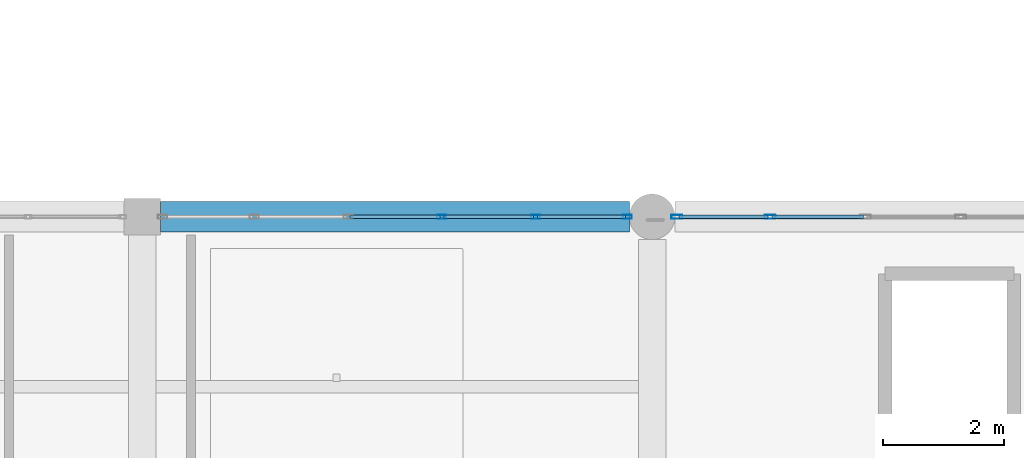
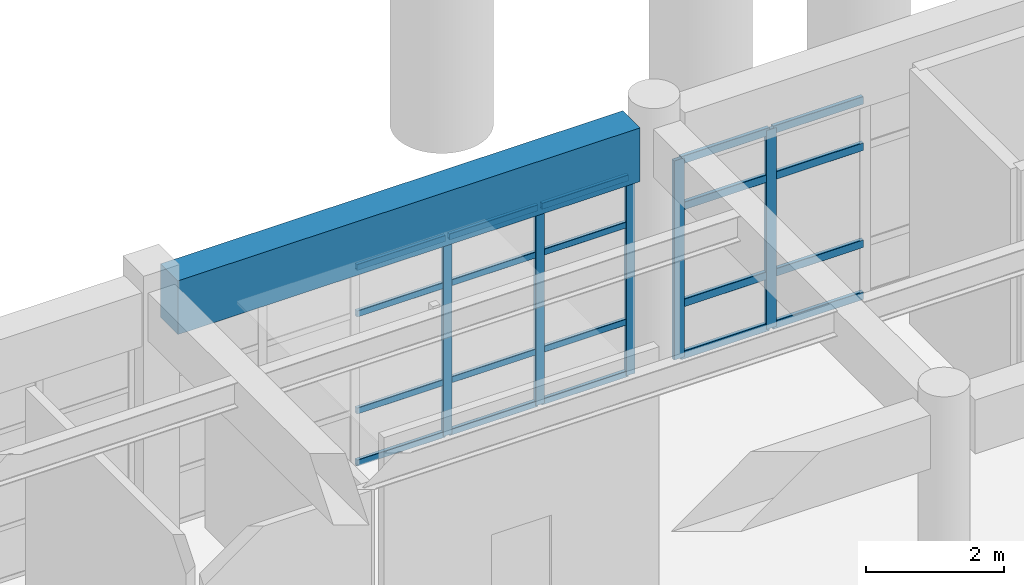
# One storey, part 25 of 139: 25 members, 1 beam, 2 elements without a shape of their own.
"""IFC4 building model written with IfcOpenShell, lengths in metres."""

from ifc_helpers import new_model, si_unit, direction, frame, origin, origin_2d, place, context, subcontext, project, spatial, rectangle, hollow_rectangle, extrude, material, material_profile, profile_set, type_object, element, aggregate, save


model = new_model("IFC4")

# Units and contexts
model_context = context("Model", 3, precision=1e-05, world=origin(), true_north=direction((0.0, 1.0)))
body_context = subcontext(model_context, "Body", "Model", "MODEL_VIEW")
ifc_project = project(units=[si_unit("LENGTHUNIT", "METRE"), si_unit("AREAUNIT", "SQUARE_METRE"), si_unit("VOLUMEUNIT", "CUBIC_METRE"), si_unit("PLANEANGLEUNIT", "RADIAN"), si_unit("MASSUNIT", "GRAM", prefix="KILO")], contexts=[model_context])

# Site, building, storey
site_placement = place(None, origin())
site = spatial("IfcSite", under=ifc_project, at=site_placement, CompositionType="ELEMENT")
building_placement = place(site_placement, origin())
building = spatial("IfcBuilding", under=site, at=building_placement, Name="Canglan Escarpment Cableway Terminal", CompositionType="ELEMENT")
storey_placement = place(building_placement, frame((0.0, 0.0, 14.39990234375)))
storey = spatial("IfcBuildingStorey", under=building, at=storey_placement, Name="L03", CompositionType="ELEMENT", Elevation=14.39990234375)

# Beam
ifc_material_1 = material(Name="Concrete C50", Category="concrete")
ifc_material_profile_1 = material_profile(ifc_material_1, rectangle(XDim=0.5, YDim=0.949951171875, at=origin_2d()), Name="RC 500x950")
ifc_profile_set_1 = profile_set([ifc_material_profile_1], Name="Concrete C50")
beam_type = type_object("IfcBeamType", Name="BM-RC500x950", PredefinedType="BEAM", material=ifc_profile_set_1)
beam_placement = place(storey_placement, frame((120.199951171875, 24.800048828125, 4.005126953125), z_axis=(1.0, 0.0, 0.0), x_axis=(0.0, 1.0, 0.0)))
element("IfcBeam", 1, at=beam_placement, inside=storey, type_object=beam_type, Name="Primary structural girder B-01", PredefinedType="BEAM", context=body_context, shape_type="SweptSolid", body=[
    extrude(rectangle(XDim=0.5, YDim=0.949951171875, at=origin_2d()), origin(), (0.0, 0.0, 1.0), 7.72509765625),
])

# Curtain wall, members
ifc_material_2 = material(Name="Anodized bronze aluminium and Low-E double glazing", Category="aluminium")
curtain_wall_type_1 = type_object("IfcCurtainWallType", Name="CW-BAY-7725x3525", PredefinedType="NOTDEFINED", material=ifc_material_2)
curtain_wall_1_placement = place(storey_placement, origin())
curtain_wall_1 = element("IfcCurtainWall", 2, at=curtain_wall_1_placement, inside=storey, type_object=curtain_wall_type_1, Name="Classical bay-between-piers glazed curtain wall CW-18", PredefinedType="NOTDEFINED")
ifc_material_3 = material(Name="Thermally broken anodized aluminium 6063-T6", Category="aluminium")
ifc_material_profile_2 = material_profile(ifc_material_3, hollow_rectangle(XDim=0.06494140625, YDim=0.14990234375, WallThickness=0.00341796875, InnerFilletRadius=0.00341796875, OuterFilletRadius=0.007080078125, at=origin_2d()), Name="ALU-MULL 65x150x3.5")
ifc_profile_set_2 = profile_set([ifc_material_profile_2], Name="Thermally broken anodized aluminium 6063-T6")
member_type_1 = type_object("IfcMemberType", Name="CWM-02", PredefinedType="MULLION", material=ifc_profile_set_2)
member_1_placement = place(storey_placement, frame((127.892578125, 24.800048828125, 0.0), z_axis=(0.0, 0.0, 1.0), x_axis=(0.0, -1.0, 0.0)))
member_1 = element("IfcMember", 3, at=member_1_placement, type_object=member_type_1, Name="CW-18 mullion 1", PredefinedType="MULLION", context=body_context, shape_type="SweptSolid", body=[
    extrude(hollow_rectangle(XDim=0.06494140625, YDim=0.14990234375, WallThickness=0.00341796875, InnerFilletRadius=0.00341796875, OuterFilletRadius=0.007080078125, at=origin_2d()), origin(), (0.0, 0.0, 1.0), 3.51513671875),
])
member_2_placement = place(storey_placement, frame((126.3798828125, 24.800048828125, 0.0), z_axis=(0.0, 0.0, 1.0), x_axis=(0.0, -1.0, 0.0)))
member_2 = element("IfcMember", 4, at=member_2_placement, type_object=member_type_1, Name="CW-18 mullion 2", PredefinedType="MULLION", context=body_context, shape_type="SweptSolid", body=[
    extrude(hollow_rectangle(XDim=0.06494140625, YDim=0.14990234375, WallThickness=0.00341796875, InnerFilletRadius=0.00341796875, OuterFilletRadius=0.007080078125, at=origin_2d()), origin(), (0.0, 0.0, 1.0), 3.51513671875),
])
member_3_placement = place(storey_placement, frame((124.8349609375, 24.800048828125, 0.0), z_axis=(0.0, 0.0, 1.0), x_axis=(0.0, -1.0, 0.0)))
member_3 = element("IfcMember", 5, at=member_3_placement, type_object=member_type_1, Name="CW-18 mullion 3", PredefinedType="MULLION", context=body_context, shape_type="SweptSolid", body=[
    extrude(hollow_rectangle(XDim=0.06494140625, YDim=0.14990234375, WallThickness=0.00341796875, InnerFilletRadius=0.00341796875, OuterFilletRadius=0.007080078125, at=origin_2d()), origin(), (0.0, 0.0, 1.0), 3.51513671875),
])

curtain_wall_type_2 = type_object("IfcCurtainWallType", Name="CW-BAY-7850x3525", PredefinedType="NOTDEFINED", material=ifc_material_2)
curtain_wall_2_placement = place(storey_placement, origin())
curtain_wall_2 = element("IfcCurtainWall", 6, at=curtain_wall_2_placement, inside=storey, type_object=curtain_wall_type_2, Name="Classical bay-between-piers glazed curtain wall CW-19", PredefinedType="NOTDEFINED")
ifc_material_profile_3 = material_profile(ifc_material_3, hollow_rectangle(XDim=0.06494140625, YDim=0.179931640625, WallThickness=0.00390625, InnerFilletRadius=0.00390625, OuterFilletRadius=0.008056640625, at=origin_2d()), Name="ALU-MULL 65x180x4")
ifc_profile_set_3 = profile_set([ifc_material_profile_3], Name="Thermally broken anodized aluminium 6063-T6")
member_type_2 = type_object("IfcMemberType", Name="CWM-03", PredefinedType="MULLION", material=ifc_profile_set_3)
member_4_placement = place(storey_placement, frame((130.2451171875, 24.800048828125, 0.0), z_axis=(0.0, 0.0, 1.0), x_axis=(0.0, -1.0, 0.0)))
member_4 = element("IfcMember", 7, at=member_4_placement, type_object=member_type_2, Name="CW-19 mullion 5", PredefinedType="MULLION", context=body_context, shape_type="SweptSolid", body=[
    extrude(hollow_rectangle(XDim=0.06494140625, YDim=0.179931640625, WallThickness=0.00390625, InnerFilletRadius=0.00390625, OuterFilletRadius=0.008056640625, at=origin_2d()), origin(), (0.0, 0.0, 1.0), 3.51513671875),
])
member_5_placement = place(storey_placement, frame((128.70751953125, 24.800048828125, 0.0), z_axis=(0.0, 0.0, 1.0), x_axis=(0.0, -1.0, 0.0)))
member_5 = element("IfcMember", 8, at=member_5_placement, type_object=member_type_2, Name="CW-19 mullion 6", PredefinedType="MULLION", context=body_context, shape_type="SweptSolid", body=[
    extrude(hollow_rectangle(XDim=0.06494140625, YDim=0.179931640625, WallThickness=0.00390625, InnerFilletRadius=0.00390625, OuterFilletRadius=0.008056640625, at=origin_2d()), origin(), (0.0, 0.0, 1.0), 3.51513671875),
])

# Member
ifc_material_profile_4 = material_profile(ifc_material_3, hollow_rectangle(XDim=0.06005859375, YDim=0.110107421875, WallThickness=0.0029296875, InnerFilletRadius=0.0029296875, OuterFilletRadius=0.006103515625, at=origin_2d()), Name="ALU-TRAN 60x110x3")
ifc_profile_set_4 = profile_set([ifc_material_profile_4], Name="Thermally broken anodized aluminium 6063-T6")
member_type_3 = type_object("IfcMemberType", Name="CWT-02", PredefinedType="USERDEFINED", material=ifc_profile_set_4)
member_6_placement = place(storey_placement, frame((127.860107421875, 24.800048828125, 0.030029296875), z_axis=(-1.0, 0.0, 0.0), x_axis=(0.0, -1.0, 0.0)))
member_6 = element("IfcMember", 9, at=member_6_placement, type_object=member_type_3, Name="CW-18 transom 1.1", ObjectType="TRANSOM", PredefinedType="USERDEFINED", context=body_context, shape_type="SweptSolid", body=[
    extrude(hollow_rectangle(XDim=0.06005859375, YDim=0.110107421875, WallThickness=0.0029296875, InnerFilletRadius=0.0029296875, OuterFilletRadius=0.006103515625, at=origin_2d()), origin(), (0.0, 0.0, 1.0), 1.447509765625),
])

member_7_placement = place(storey_placement, frame((127.860107421875, 24.800048828125, 0.9501953125), z_axis=(-1.0, 0.0, 0.0), x_axis=(0.0, -1.0, 0.0)))
member_7 = element("IfcMember", 10, at=member_7_placement, type_object=member_type_3, Name="CW-18 transom 1.2", ObjectType="TRANSOM", PredefinedType="USERDEFINED", context=body_context, shape_type="SweptSolid", body=[
    extrude(hollow_rectangle(XDim=0.06005859375, YDim=0.110107421875, WallThickness=0.0029296875, InnerFilletRadius=0.0029296875, OuterFilletRadius=0.006103515625, at=origin_2d()), origin(), (0.0, 0.0, 1.0), 1.447509765625),
])

member_8_placement = place(storey_placement, frame((127.860107421875, 24.800048828125, 2.6650390625), z_axis=(-1.0, 0.0, 0.0), x_axis=(0.0, -1.0, 0.0)))
member_8 = element("IfcMember", 11, at=member_8_placement, type_object=member_type_3, Name="CW-18 transom 1.3", ObjectType="TRANSOM", PredefinedType="USERDEFINED", context=body_context, shape_type="SweptSolid", body=[
    extrude(hollow_rectangle(XDim=0.06005859375, YDim=0.110107421875, WallThickness=0.0029296875, InnerFilletRadius=0.0029296875, OuterFilletRadius=0.006103515625, at=origin_2d()), origin(), (0.0, 0.0, 1.0), 1.447509765625),
])

member_9_placement = place(storey_placement, frame((127.860107421875, 24.800048828125, 3.485107421875), z_axis=(-1.0, 0.0, 0.0), x_axis=(0.0, -1.0, 0.0)))
member_9 = element("IfcMember", 12, at=member_9_placement, type_object=member_type_3, Name="CW-18 transom 1.4", ObjectType="TRANSOM", PredefinedType="USERDEFINED", context=body_context, shape_type="SweptSolid", body=[
    extrude(hollow_rectangle(XDim=0.06005859375, YDim=0.110107421875, WallThickness=0.0029296875, InnerFilletRadius=0.0029296875, OuterFilletRadius=0.006103515625, at=origin_2d()), origin(), (0.0, 0.0, 1.0), 1.447509765625),
])

member_10_placement = place(storey_placement, frame((126.347412109375, 24.800048828125, 0.030029296875), z_axis=(-1.0, 0.0, 0.0), x_axis=(0.0, -1.0, 0.0)))
member_10 = element("IfcMember", 13, at=member_10_placement, type_object=member_type_3, Name="CW-18 transom 2.1", ObjectType="TRANSOM", PredefinedType="USERDEFINED", context=body_context, shape_type="SweptSolid", body=[
    extrude(hollow_rectangle(XDim=0.06005859375, YDim=0.110107421875, WallThickness=0.0029296875, InnerFilletRadius=0.0029296875, OuterFilletRadius=0.006103515625, at=origin_2d()), origin(), (0.0, 0.0, 1.0), 1.47998046875),
])

member_11_placement = place(storey_placement, frame((126.347412109375, 24.800048828125, 0.9501953125), z_axis=(-1.0, 0.0, 0.0), x_axis=(0.0, -1.0, 0.0)))
member_11 = element("IfcMember", 14, at=member_11_placement, type_object=member_type_3, Name="CW-18 transom 2.2", ObjectType="TRANSOM", PredefinedType="USERDEFINED", context=body_context, shape_type="SweptSolid", body=[
    extrude(hollow_rectangle(XDim=0.06005859375, YDim=0.110107421875, WallThickness=0.0029296875, InnerFilletRadius=0.0029296875, OuterFilletRadius=0.006103515625, at=origin_2d()), origin(), (0.0, 0.0, 1.0), 1.47998046875),
])

member_12_placement = place(storey_placement, frame((126.347412109375, 24.800048828125, 2.6650390625), z_axis=(-1.0, 0.0, 0.0), x_axis=(0.0, -1.0, 0.0)))
member_12 = element("IfcMember", 15, at=member_12_placement, type_object=member_type_3, Name="CW-18 transom 2.3", ObjectType="TRANSOM", PredefinedType="USERDEFINED", context=body_context, shape_type="SweptSolid", body=[
    extrude(hollow_rectangle(XDim=0.06005859375, YDim=0.110107421875, WallThickness=0.0029296875, InnerFilletRadius=0.0029296875, OuterFilletRadius=0.006103515625, at=origin_2d()), origin(), (0.0, 0.0, 1.0), 1.47998046875),
])

member_13_placement = place(storey_placement, frame((126.347412109375, 24.800048828125, 3.485107421875), z_axis=(-1.0, 0.0, 0.0), x_axis=(0.0, -1.0, 0.0)))
member_13 = element("IfcMember", 16, at=member_13_placement, type_object=member_type_3, Name="CW-18 transom 2.4", ObjectType="TRANSOM", PredefinedType="USERDEFINED", context=body_context, shape_type="SweptSolid", body=[
    extrude(hollow_rectangle(XDim=0.06005859375, YDim=0.110107421875, WallThickness=0.0029296875, InnerFilletRadius=0.0029296875, OuterFilletRadius=0.006103515625, at=origin_2d()), origin(), (0.0, 0.0, 1.0), 1.47998046875),
])

member_14_placement = place(storey_placement, frame((124.802490234375, 24.800048828125, 0.030029296875), z_axis=(-1.0, 0.0, 0.0), x_axis=(0.0, -1.0, 0.0)))
member_14 = element("IfcMember", 17, at=member_14_placement, type_object=member_type_3, Name="CW-18 transom 3.1", ObjectType="TRANSOM", PredefinedType="USERDEFINED", context=body_context, shape_type="SweptSolid", body=[
    extrude(hollow_rectangle(XDim=0.06005859375, YDim=0.110107421875, WallThickness=0.0029296875, InnerFilletRadius=0.0029296875, OuterFilletRadius=0.006103515625, at=origin_2d()), origin(), (0.0, 0.0, 1.0), 1.47998046875),
])

member_15_placement = place(storey_placement, frame((124.802490234375, 24.800048828125, 0.9501953125), z_axis=(-1.0, 0.0, 0.0), x_axis=(0.0, -1.0, 0.0)))
member_15 = element("IfcMember", 18, at=member_15_placement, type_object=member_type_3, Name="CW-18 transom 3.2", ObjectType="TRANSOM", PredefinedType="USERDEFINED", context=body_context, shape_type="SweptSolid", body=[
    extrude(hollow_rectangle(XDim=0.06005859375, YDim=0.110107421875, WallThickness=0.0029296875, InnerFilletRadius=0.0029296875, OuterFilletRadius=0.006103515625, at=origin_2d()), origin(), (0.0, 0.0, 1.0), 1.47998046875),
])

member_16_placement = place(storey_placement, frame((124.802490234375, 24.800048828125, 2.6650390625), z_axis=(-1.0, 0.0, 0.0), x_axis=(0.0, -1.0, 0.0)))
member_16 = element("IfcMember", 19, at=member_16_placement, type_object=member_type_3, Name="CW-18 transom 3.3", ObjectType="TRANSOM", PredefinedType="USERDEFINED", context=body_context, shape_type="SweptSolid", body=[
    extrude(hollow_rectangle(XDim=0.06005859375, YDim=0.110107421875, WallThickness=0.0029296875, InnerFilletRadius=0.0029296875, OuterFilletRadius=0.006103515625, at=origin_2d()), origin(), (0.0, 0.0, 1.0), 1.47998046875),
])

member_17_placement = place(storey_placement, frame((124.802490234375, 24.800048828125, 3.485107421875), z_axis=(-1.0, 0.0, 0.0), x_axis=(0.0, -1.0, 0.0)))
member_17 = element("IfcMember", 20, at=member_17_placement, type_object=member_type_3, Name="CW-18 transom 3.4", ObjectType="TRANSOM", PredefinedType="USERDEFINED", context=body_context, shape_type="SweptSolid", body=[
    extrude(hollow_rectangle(XDim=0.06005859375, YDim=0.110107421875, WallThickness=0.0029296875, InnerFilletRadius=0.0029296875, OuterFilletRadius=0.006103515625, at=origin_2d()), origin(), (0.0, 0.0, 1.0), 1.47998046875),
])

aggregate(curtain_wall_1, [member_1, member_2, member_3, member_6, member_7, member_8, member_9, member_10, member_11, member_12, member_13, member_14, member_15, member_16, member_17])

ifc_material_profile_5 = material_profile(ifc_material_3, hollow_rectangle(XDim=0.06494140625, YDim=0.139892578125, WallThickness=0.00341796875, InnerFilletRadius=0.00341796875, OuterFilletRadius=0.007080078125, at=origin_2d()), Name="ALU-TRAN 65x140x3.5")
ifc_profile_set_5 = profile_set([ifc_material_profile_5], Name="Thermally broken anodized aluminium 6063-T6")
member_type_4 = type_object("IfcMemberType", Name="CWT-03", PredefinedType="USERDEFINED", material=ifc_profile_set_5)
member_18_placement = place(storey_placement, frame((131.782470703125, 24.800048828125, 0.03271484375), z_axis=(-1.0, 0.0, 0.0), x_axis=(0.0, -1.0, 0.0)))
member_18 = element("IfcMember", 21, at=member_18_placement, type_object=member_type_4, Name="CW-19 transom 4.1", ObjectType="TRANSOM", PredefinedType="USERDEFINED", context=body_context, shape_type="SweptSolid", body=[
    extrude(hollow_rectangle(XDim=0.06494140625, YDim=0.139892578125, WallThickness=0.00341796875, InnerFilletRadius=0.00341796875, OuterFilletRadius=0.007080078125, at=origin_2d()), origin(), (0.0, 0.0, 1.0), 1.5048828125),
])

member_19_placement = place(storey_placement, frame((131.782470703125, 24.800048828125, 0.9501953125), z_axis=(-1.0, 0.0, 0.0), x_axis=(0.0, -1.0, 0.0)))
member_19 = element("IfcMember", 22, at=member_19_placement, type_object=member_type_4, Name="CW-19 transom 4.2", ObjectType="TRANSOM", PredefinedType="USERDEFINED", context=body_context, shape_type="SweptSolid", body=[
    extrude(hollow_rectangle(XDim=0.06494140625, YDim=0.139892578125, WallThickness=0.00341796875, InnerFilletRadius=0.00341796875, OuterFilletRadius=0.007080078125, at=origin_2d()), origin(), (0.0, 0.0, 1.0), 1.5048828125),
])

member_20_placement = place(storey_placement, frame((131.782470703125, 24.800048828125, 2.6650390625), z_axis=(-1.0, 0.0, 0.0), x_axis=(0.0, -1.0, 0.0)))
member_20 = element("IfcMember", 23, at=member_20_placement, type_object=member_type_4, Name="CW-19 transom 4.3", ObjectType="TRANSOM", PredefinedType="USERDEFINED", context=body_context, shape_type="SweptSolid", body=[
    extrude(hollow_rectangle(XDim=0.06494140625, YDim=0.139892578125, WallThickness=0.00341796875, InnerFilletRadius=0.00341796875, OuterFilletRadius=0.007080078125, at=origin_2d()), origin(), (0.0, 0.0, 1.0), 1.5048828125),
])

member_21_placement = place(storey_placement, frame((131.782470703125, 24.800048828125, 3.482666015625), z_axis=(-1.0, 0.0, 0.0), x_axis=(0.0, -1.0, 0.0)))
member_21 = element("IfcMember", 24, at=member_21_placement, type_object=member_type_4, Name="CW-19 transom 4.4", ObjectType="TRANSOM", PredefinedType="USERDEFINED", context=body_context, shape_type="SweptSolid", body=[
    extrude(hollow_rectangle(XDim=0.06494140625, YDim=0.139892578125, WallThickness=0.00341796875, InnerFilletRadius=0.00341796875, OuterFilletRadius=0.007080078125, at=origin_2d()), origin(), (0.0, 0.0, 1.0), 1.5048828125),
])

member_22_placement = place(storey_placement, frame((130.21240234375, 24.800048828125, 0.03271484375), z_axis=(-1.0, 0.0, 0.0), x_axis=(0.0, -1.0, 0.0)))
member_22 = element("IfcMember", 25, at=member_22_placement, type_object=member_type_4, Name="CW-19 transom 5.1", ObjectType="TRANSOM", PredefinedType="USERDEFINED", context=body_context, shape_type="SweptSolid", body=[
    extrude(hollow_rectangle(XDim=0.06494140625, YDim=0.139892578125, WallThickness=0.00341796875, InnerFilletRadius=0.00341796875, OuterFilletRadius=0.007080078125, at=origin_2d()), origin(), (0.0, 0.0, 1.0), 1.472412109375),
])

member_23_placement = place(storey_placement, frame((130.21240234375, 24.800048828125, 0.9501953125), z_axis=(-1.0, 0.0, 0.0), x_axis=(0.0, -1.0, 0.0)))
member_23 = element("IfcMember", 26, at=member_23_placement, type_object=member_type_4, Name="CW-19 transom 5.2", ObjectType="TRANSOM", PredefinedType="USERDEFINED", context=body_context, shape_type="SweptSolid", body=[
    extrude(hollow_rectangle(XDim=0.06494140625, YDim=0.139892578125, WallThickness=0.00341796875, InnerFilletRadius=0.00341796875, OuterFilletRadius=0.007080078125, at=origin_2d()), origin(), (0.0, 0.0, 1.0), 1.472412109375),
])

member_24_placement = place(storey_placement, frame((130.21240234375, 24.800048828125, 2.6650390625), z_axis=(-1.0, 0.0, 0.0), x_axis=(0.0, -1.0, 0.0)))
member_24 = element("IfcMember", 27, at=member_24_placement, type_object=member_type_4, Name="CW-19 transom 5.3", ObjectType="TRANSOM", PredefinedType="USERDEFINED", context=body_context, shape_type="SweptSolid", body=[
    extrude(hollow_rectangle(XDim=0.06494140625, YDim=0.139892578125, WallThickness=0.00341796875, InnerFilletRadius=0.00341796875, OuterFilletRadius=0.007080078125, at=origin_2d()), origin(), (0.0, 0.0, 1.0), 1.472412109375),
])

member_25_placement = place(storey_placement, frame((130.21240234375, 24.800048828125, 3.482666015625), z_axis=(-1.0, 0.0, 0.0), x_axis=(0.0, -1.0, 0.0)))
member_25 = element("IfcMember", 28, at=member_25_placement, type_object=member_type_4, Name="CW-19 transom 5.4", ObjectType="TRANSOM", PredefinedType="USERDEFINED", context=body_context, shape_type="SweptSolid", body=[
    extrude(hollow_rectangle(XDim=0.06494140625, YDim=0.139892578125, WallThickness=0.00341796875, InnerFilletRadius=0.00341796875, OuterFilletRadius=0.007080078125, at=origin_2d()), origin(), (0.0, 0.0, 1.0), 1.472412109375),
])

aggregate(curtain_wall_2, [member_4, member_5, member_18, member_19, member_20, member_21, member_22, member_23, member_24, member_25])

save(model, "model.ifc")
